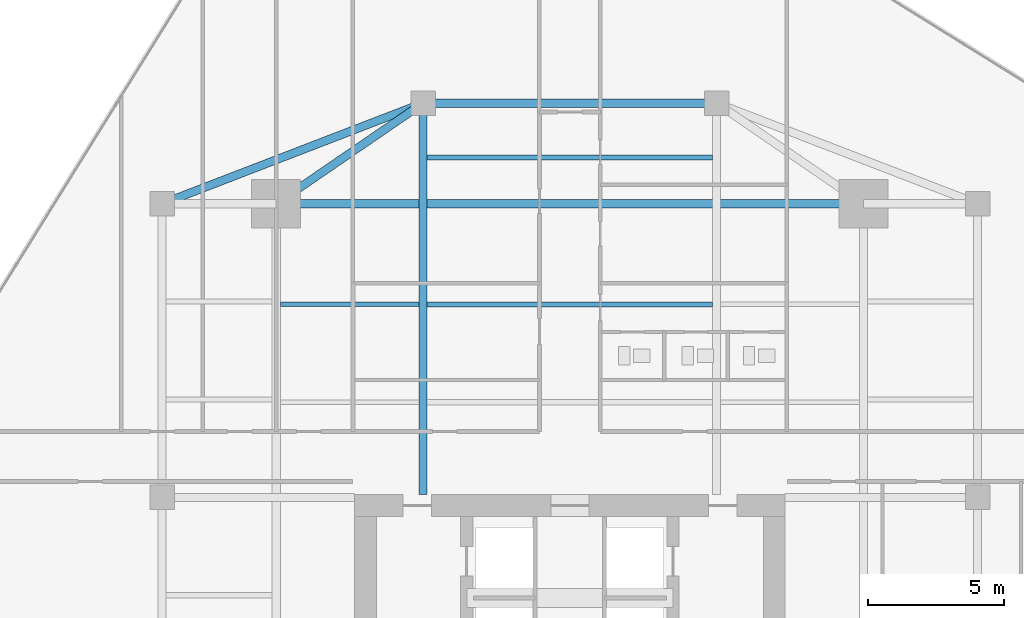
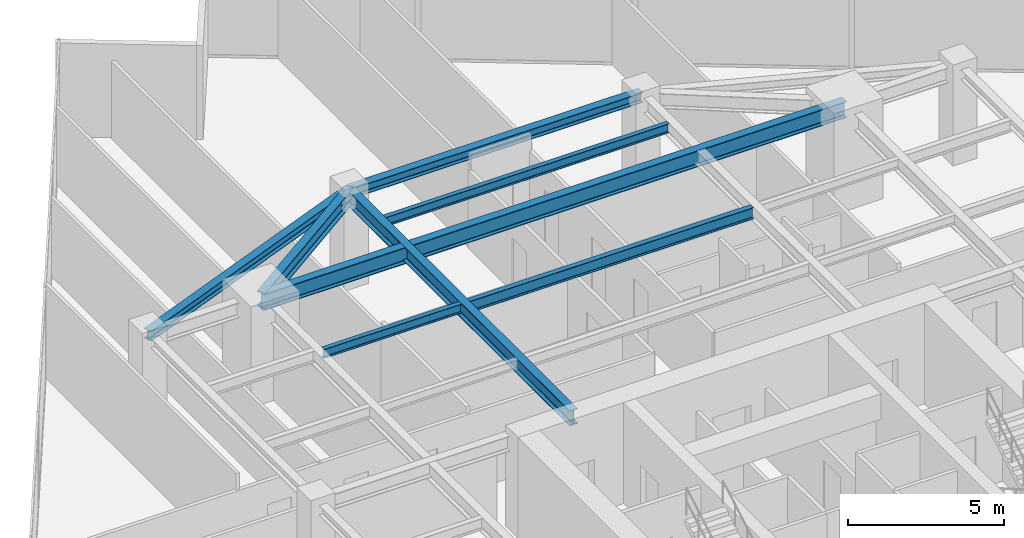
# One storey, part 14 of 25: 8 beams.
"""IFC4 building model written with IfcOpenShell, lengths in metres."""

from ifc_helpers import new_model, si_unit, direction, frame, origin, origin_2d, place, context, subcontext, project, spatial, i_section, extrude, source, transform, mapped, material, material_profile, profile_set, type_object, type_shapes, element, save


model = new_model("IFC4")

# Units and contexts
model_context = context("Model", 3, precision=1e-05, world=origin(), true_north=direction((0.0, 1.0)))
body_context = subcontext(model_context, "Body", "Model", "MODEL_VIEW")
ifc_project = project(units=[si_unit("LENGTHUNIT", "METRE"), si_unit("AREAUNIT", "SQUARE_METRE"), si_unit("VOLUMEUNIT", "CUBIC_METRE"), si_unit("PLANEANGLEUNIT", "RADIAN"), si_unit("MASSUNIT", "GRAM", prefix="KILO")], contexts=[model_context])

# Site, building, storey
site_placement = place(None, origin())
site = spatial("IfcSite", under=ifc_project, at=site_placement, CompositionType="ELEMENT")
building_placement = place(site_placement, origin())
building = spatial("IfcBuilding", under=site, at=building_placement, Name="Krantzveldt Concourse Tower", CompositionType="ELEMENT")
storey_placement = place(building_placement, frame((0.0, 0.0, 177.800048828125)))
storey = spatial("IfcBuildingStorey", under=building, at=storey_placement, Name="L43", CompositionType="ELEMENT", Elevation=177.800048828125)

# Beams
ifc_material = material(Name="Steel S355JR", Category="steel")
ifc_material_profile_1 = material_profile(ifc_material, i_section(OverallWidth=0.300048828125, OverallDepth=0.639892578125, WebThickness=0.013427734375, FlangeThickness=0.02587890625, FilletRadius=0.027099609375, at=origin_2d()), Name="Steel S355JR", Category="steel")
ifc_profile_set_1 = profile_set([ifc_material_profile_1], Name="Steel S355JR - HEA 650")
beam_type_1 = type_object("IfcBeamType", Name="BM-B-HEA650", PredefinedType="BEAM", material=ifc_profile_set_1)
shared_shape_1 = source(origin(), body_context, "Body", "SweptSolid", [
    extrude(i_section(OverallWidth=0.300048828125, OverallDepth=0.639892578125, WebThickness=0.013427734375, FlangeThickness=0.02587890625, FilletRadius=0.027099609375, at=origin_2d()), origin(), (0.0, 0.0, 1.0), 21.60009765625),
])
type_shapes(beam_type_1, [shared_shape_1])
beam_1_placement = place(storey_placement, frame((25.199951171875, 37.5, 3.349853515625), z_axis=(1.0, 0.0, 0.0), x_axis=(0.0, 1.0, 0.0)))
element("IfcBeam", 1, at=beam_1_placement, inside=storey, type_object=beam_type_1, Name="L43 Tower Girder BG-MN", PredefinedType="BEAM", context=body_context, shape_type="MappedRepresentation", body=[
    mapped(shared_shape_1, transform((0.0, 0.0, 0.0), x_axis=(1.0, 0.0, 0.0), y_axis=(0.0, 1.0, 0.0), z_axis=(0.0, 0.0, 1.0), scale=1.0)),
])
ifc_material_profile_2 = material_profile(ifc_material, i_section(OverallWidth=0.300048828125, OverallDepth=0.590087890625, WebThickness=0.012939453125, FlangeThickness=0.02490234375, FilletRadius=0.027099609375, at=origin_2d()), Name="Steel S355JR", Category="steel")
ifc_profile_set_2 = profile_set([ifc_material_profile_2], Name="Steel S355JR - HEA 600")
beam_type_2 = type_object("IfcBeamType", Name="BM-B-HEA600", PredefinedType="BEAM", material=ifc_profile_set_2)
shared_shape_2 = source(origin(), body_context, "Body", "SweptSolid", [
    extrude(i_section(OverallWidth=0.300048828125, OverallDepth=0.590087890625, WebThickness=0.012939453125, FlangeThickness=0.02490234375, FilletRadius=0.027099609375, at=origin_2d()), origin(), (0.0, 0.0, 1.0), 14.39990234375),
])
beam_2_placement = place(storey_placement, frame((30.60009765625, 26.800048828125, 3.375), z_axis=(0.0, 1.0, 0.0), x_axis=(-1.0, 0.0, 0.0)))
element("IfcBeam", 2, at=beam_2_placement, inside=storey, type_object=beam_type_2, Name="L43 Tower Girder BG-CNW", PredefinedType="BEAM", context=body_context, shape_type="MappedRepresentation", body=[
    mapped(shared_shape_2, transform((0.0, 0.0, 0.0), x_axis=(1.0, 0.0, 0.0), y_axis=(0.0, 1.0, 0.0), z_axis=(0.0, 0.0, 1.0), scale=1.0)),
])
shared_shape_3 = source(origin(), body_context, "Body", "SweptSolid", [
    extrude(i_section(OverallWidth=0.300048828125, OverallDepth=0.590087890625, WebThickness=0.012939453125, FlangeThickness=0.02490234375, FilletRadius=0.027099609375, at=origin_2d()), origin(), (0.0, 0.0, 1.0), 6.546142578125),
])
type_shapes(beam_type_2, [shared_shape_2, shared_shape_3])
beam_3_placement = place(storey_placement, frame((25.199951171875, 37.5, 3.375), z_axis=(0.824942999484, 0.565215930068, 0.0), x_axis=(-0.565215930068, 0.824942999484, 0.0)))
element("IfcBeam", 3, at=beam_3_placement, inside=storey, type_object=beam_type_2, Name="L43 Tower Girder BR-RL4", PredefinedType="BEAM", context=body_context, shape_type="MappedRepresentation", body=[
    mapped(shared_shape_3, transform((0.0, 0.0, 0.0), x_axis=(1.0, 0.0, 0.0), y_axis=(0.0, 1.0, 0.0), z_axis=(0.0, 0.0, 1.0), scale=1.0)),
])
ifc_material_profile_3 = material_profile(ifc_material, i_section(OverallWidth=0.18994140625, OverallDepth=0.449951171875, WebThickness=0.009521484375, FlangeThickness=0.0146484375, FilletRadius=0.02099609375, at=origin_2d()), Name="Steel S355JR", Category="steel")
ifc_profile_set_3 = profile_set([ifc_material_profile_3], Name="Steel S355JR - IPE 450")
beam_type_3 = type_object("IfcBeamType", Name="BM-J-IPE450", PredefinedType="JOIST", material=ifc_profile_set_3)
shared_shape_4 = source(origin(), body_context, "Body", "SweptSolid", [
    extrude(i_section(OverallWidth=0.18994140625, OverallDepth=0.449951171875, WebThickness=0.009521484375, FlangeThickness=0.0146484375, FilletRadius=0.02099609375, at=origin_2d()), origin(), (0.0, 0.0, 1.0), 10.5),
])
type_shapes(beam_type_3, [shared_shape_4])
beam_4_placement = place(storey_placement, frame((30.75, 33.800048828125, 3.445068359375), z_axis=(1.0, 0.0, 0.0), x_axis=(0.0, 1.0, 0.0)))
element("IfcBeam", 4, at=beam_4_placement, inside=storey, type_object=beam_type_3, Name="L43 Secondary Floor Joist JN-C2", PredefinedType="JOIST", context=body_context, shape_type="MappedRepresentation", body=[
    mapped(shared_shape_4, transform((0.0, 0.0, 0.0), x_axis=(1.0, 0.0, 0.0), y_axis=(0.0, 1.0, 0.0), z_axis=(0.0, 0.0, 1.0), scale=1.0)),
])
ifc_material_profile_4 = material_profile(ifc_material, i_section(OverallWidth=0.300048828125, OverallDepth=0.389892578125, WebThickness=0.010986328125, FlangeThickness=0.01904296875, FilletRadius=0.027099609375, at=origin_2d()), Name="Steel S355JR", Category="steel")
ifc_profile_set_4 = profile_set([ifc_material_profile_4], Name="Steel S355JR - HEA 400")
beam_type_4 = type_object("IfcBeamType", Name="BM-SP-HEA400", PredefinedType="SPANDREL", material=ifc_profile_set_4)
shared_shape_5 = source(origin(), body_context, "Body", "SweptSolid", [
    extrude(i_section(OverallWidth=0.300048828125, OverallDepth=0.389892578125, WebThickness=0.010986328125, FlangeThickness=0.01904296875, FilletRadius=0.027099609375, at=origin_2d()), origin(), (0.0, 0.0, 1.0), 10.288330078125),
])
beam_5_placement = place(storey_placement, frame((21.0, 37.5, 3.474853515625), z_axis=(0.933097690408, 0.359622997257, 0.0), x_axis=(-0.359622997257, 0.933097690408, 0.0)))
element("IfcBeam", 5, at=beam_5_placement, inside=storey, type_object=beam_type_4, Name="L43 Tower Girder SP-R03", PredefinedType="SPANDREL", context=body_context, shape_type="MappedRepresentation", body=[
    mapped(shared_shape_5, transform((0.0, 0.0, 0.0), x_axis=(1.0, 0.0, 0.0), y_axis=(0.0, 1.0, 0.0), z_axis=(0.0, 0.0, 1.0), scale=1.0)),
])
shared_shape_6 = source(origin(), body_context, "Body", "SweptSolid", [
    extrude(i_section(OverallWidth=0.300048828125, OverallDepth=0.389892578125, WebThickness=0.010986328125, FlangeThickness=0.01904296875, FilletRadius=0.027099609375, at=origin_2d()), origin(), (0.0, 0.0, 1.0), 10.7998046875),
])
type_shapes(beam_type_4, [shared_shape_5, shared_shape_6])
beam_6_placement = place(storey_placement, frame((30.60009765625, 41.199951171875, 3.474853515625), z_axis=(1.0, 0.0, 0.0), x_axis=(0.0, 1.0, 0.0)))
element("IfcBeam", 6, at=beam_6_placement, inside=storey, type_object=beam_type_4, Name="L43 Tower Girder SP-R04", PredefinedType="SPANDREL", context=body_context, shape_type="MappedRepresentation", body=[
    mapped(shared_shape_6, transform((0.0, 0.0, 0.0), x_axis=(1.0, 0.0, 0.0), y_axis=(0.0, 1.0, 0.0), z_axis=(0.0, 0.0, 1.0), scale=1.0)),
])
ifc_material_profile_5 = material_profile(ifc_material, i_section(OverallWidth=0.169921875, OverallDepth=0.360107421875, WebThickness=0.008056640625, FlangeThickness=0.0126953125, FilletRadius=0.01806640625, at=origin_2d()), Name="Steel S355JR", Category="steel")
ifc_profile_set_5 = profile_set([ifc_material_profile_5], Name="Steel S355JR - IPE 360")
beam_type_5 = type_object("IfcBeamType", Name="BM-J-IPE360", PredefinedType="JOIST", material=ifc_profile_set_5)
shared_shape_7 = source(origin(), body_context, "Body", "SweptSolid", [
    extrude(i_section(OverallWidth=0.169921875, OverallDepth=0.360107421875, WebThickness=0.008056640625, FlangeThickness=0.0126953125, FilletRadius=0.01806640625, at=origin_2d()), origin(), (0.0, 0.0, 1.0), 10.5),
])
beam_7_placement = place(storey_placement, frame((30.75, 39.199951171875, 3.489990234375), z_axis=(1.0, 0.0, 0.0), x_axis=(0.0, 1.0, 0.0)))
element("IfcBeam", 7, at=beam_7_placement, inside=storey, type_object=beam_type_5, Name="L43 Secondary Floor Joist JN-C3", PredefinedType="JOIST", context=body_context, shape_type="MappedRepresentation", body=[
    mapped(shared_shape_7, transform((0.0, 0.0, 0.0), x_axis=(1.0, 0.0, 0.0), y_axis=(0.0, 1.0, 0.0), z_axis=(0.0, 0.0, 1.0), scale=1.0)),
])
shared_shape_8 = source(origin(), body_context, "Body", "SweptSolid", [
    extrude(i_section(OverallWidth=0.169921875, OverallDepth=0.360107421875, WebThickness=0.008056640625, FlangeThickness=0.0126953125, FilletRadius=0.01806640625, at=origin_2d()), origin(), (0.0, 0.0, 1.0), 5.099853515625),
])
type_shapes(beam_type_5, [shared_shape_7, shared_shape_8])
beam_8_placement = place(storey_placement, frame((25.35009765625, 33.800048828125, 3.489990234375), z_axis=(1.0, 0.0, 0.0), x_axis=(0.0, 1.0, 0.0)))
element("IfcBeam", 8, at=beam_8_placement, inside=storey, type_object=beam_type_5, Name="L43 Secondary Floor Joist JN-W2", PredefinedType="JOIST", context=body_context, shape_type="MappedRepresentation", body=[
    mapped(shared_shape_8, transform((0.0, 0.0, 0.0), x_axis=(1.0, 0.0, 0.0), y_axis=(0.0, 1.0, 0.0), z_axis=(0.0, 0.0, 1.0), scale=1.0)),
])

save(model, "model.ifc")
